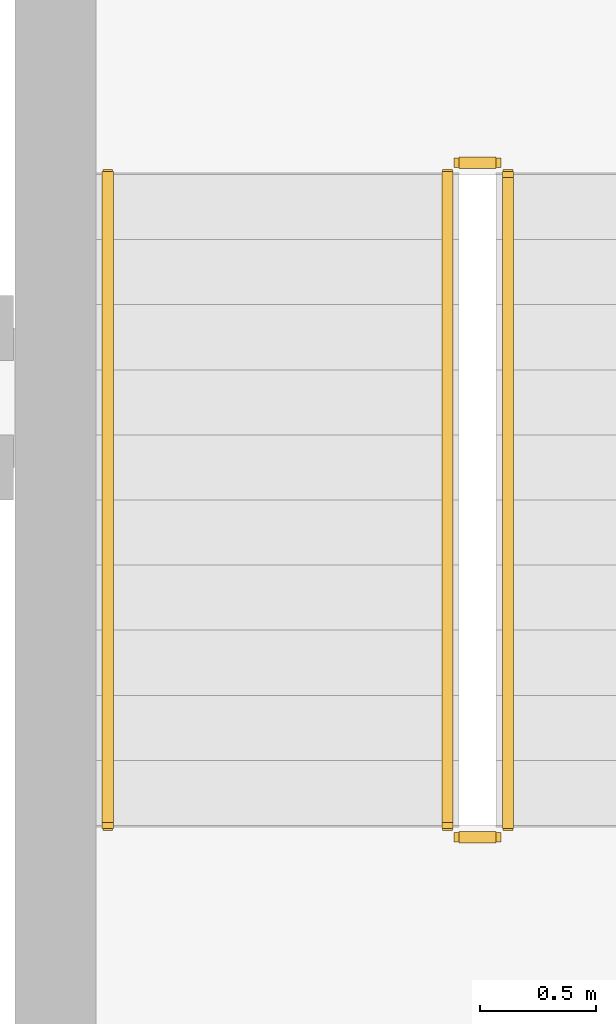
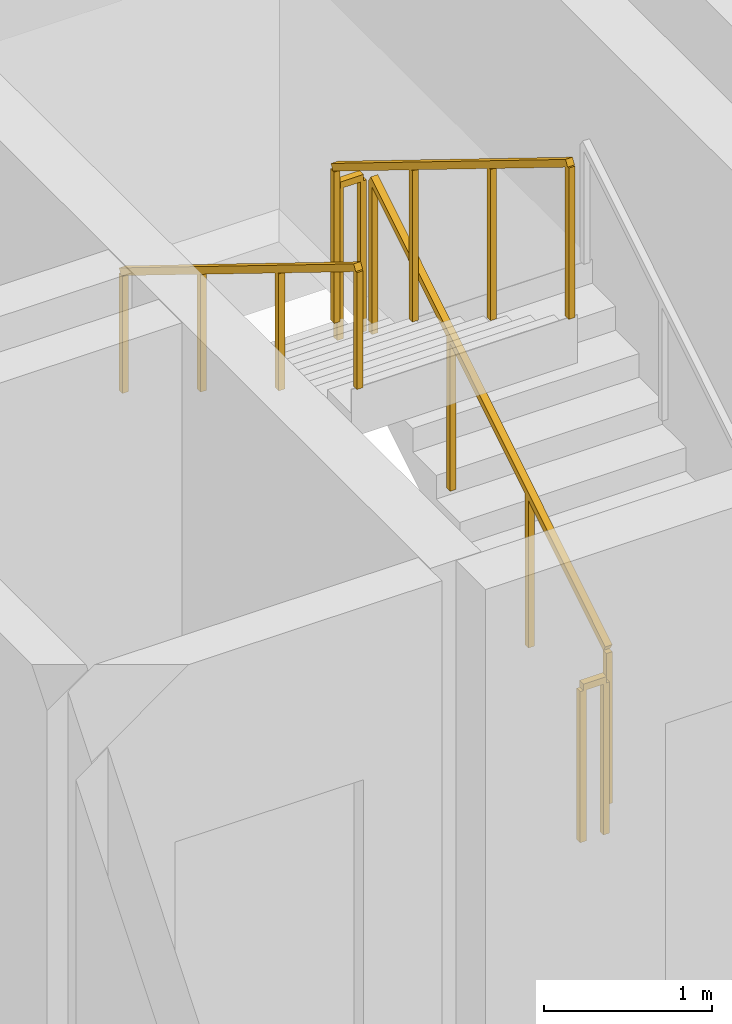
# One storey, part 13 of 14: 5 railings.
"""IFC4 building model written with IfcOpenShell, lengths in metres."""

from ifc_helpers import new_model, si_unit, direction, frame, origin, origin_2d, place, context, subcontext, project, spatial, rectangle, extrude, material, type_object, element, save


model = new_model("IFC4")

# Units and contexts
model_context = context("Model", 3, precision=1e-05, world=origin(), true_north=direction((0.0, 1.0)))
body_context = subcontext(model_context, "Body", "Model", "MODEL_VIEW")
ifc_project = project(units=[si_unit("LENGTHUNIT", "METRE"), si_unit("AREAUNIT", "SQUARE_METRE"), si_unit("VOLUMEUNIT", "CUBIC_METRE"), si_unit("PLANEANGLEUNIT", "RADIAN"), si_unit("MASSUNIT", "GRAM", prefix="KILO")], contexts=[model_context])

# Site, building, storey
site_placement = place(None, origin())
site = spatial("IfcSite", under=ifc_project, at=site_placement, CompositionType="ELEMENT")
building_placement = place(site_placement, origin())
building = spatial("IfcBuilding", under=site, at=building_placement, Name="Kaelvorn Grand Hotel", CompositionType="ELEMENT")
storey_placement = place(building_placement, frame((0.0, 0.0, 201.550048828125)))
storey = spatial("IfcBuildingStorey", under=building, at=storey_placement, Name="L49", CompositionType="ELEMENT", Elevation=201.550048828125)

# Railings
ifc_material = material(Name="Stainless Steel", Category="steel")
railing_type_1 = type_object("IfcRailingType", Name="RL-HANDRAIL-900", PredefinedType="HANDRAIL", material=ifc_material)
railing_1_placement = place(storey_placement, frame((63.3701171875, 44.56005859375, 2.07275390625)))
element("IfcRailing", 1, at=railing_1_placement, inside=storey, type_object=railing_type_1, Name="L49 ST3 stair handrail 2", PredefinedType="HANDRAIL", context=body_context, shape_type="SweptSolid", body=[
    extrude(rectangle(XDim=0.048095703125, YDim=0.048095703125, at=origin_2d()), frame((0.0, 0.0, 0.8759765625), z_axis=(0.0, -0.851089632645, 0.525020415988), x_axis=(1.0, 0.0, 0.0)), (0.0, 0.0, 1.0), 3.2900390625),
    extrude(rectangle(XDim=0.0419921875, YDim=0.0419921875, at=origin_2d()), origin(), (0.0, 0.0, 1.0), 0.851806640625),
    extrude(rectangle(XDim=0.0419921875, YDim=0.0419921875, at=origin_2d()), frame((0.0, -0.933349609375, 0.57568359375)), (0.0, 0.0, 1.0), 0.851806640625),
    extrude(rectangle(XDim=0.0419921875, YDim=0.0419921875, at=origin_2d()), frame((0.0, -1.86669921875, 1.151611328125)), (0.0, 0.0, 1.0), 0.851806640625),
    extrude(rectangle(XDim=0.0419921875, YDim=0.0419921875, at=origin_2d()), frame((0.0, -2.800048828125, 1.727294921875)), (0.0, 0.0, 1.0), 0.851806640625),
])
railing_type_2 = type_object("IfcRailingType", Name="RL-STAIR-GUARD-1150", PredefinedType="BALUSTRADE", material=ifc_material)
railing_2_placement = place(storey_placement, frame((65.090087890625, 41.760009765625, 0.172607421875)))
element("IfcRailing", 2, at=railing_2_placement, inside=storey, type_object=railing_type_2, Name="L49 ST3 stair guard 1", PredefinedType="BALUSTRADE", context=body_context, shape_type="SweptSolid", body=[
    extrude(rectangle(XDim=0.048095703125, YDim=0.048095703125, at=origin_2d()), frame((0.0, 0.0, 1.1259765625), z_axis=(0.0, 0.851089632645, 0.525020415988), x_axis=(-1.0, 0.0, 0.0)), (0.0, 0.0, 1.0), 3.2900390625),
    extrude(rectangle(XDim=0.0419921875, YDim=0.0419921875, at=origin_2d()), origin(), (0.0, 0.0, 1.0), 1.101806640625),
    extrude(rectangle(XDim=0.0419921875, YDim=0.0419921875, at=origin_2d()), frame((0.0, 0.933349609375, 0.57568359375)), (0.0, 0.0, 1.0), 1.101806640625),
    extrude(rectangle(XDim=0.0419921875, YDim=0.0419921875, at=origin_2d()), frame((0.0, 1.86669921875, 1.151611328125)), (0.0, 0.0, 1.0), 1.101806640625),
    extrude(rectangle(XDim=0.0419921875, YDim=0.0419921875, at=origin_2d()), frame((0.0, 2.800048828125, 1.727294921875)), (0.0, 0.0, 1.0), 1.101806640625),
])
railing_3_placement = place(storey_placement, frame((65.0400390625, 44.610107421875, 1.89990234375)))
element("IfcRailing", 3, at=railing_3_placement, inside=storey, type_object=railing_type_2, Name="L49 ST3 stair guard 2", PredefinedType="BALUSTRADE", context=body_context, shape_type="SweptSolid", body=[
    extrude(rectangle(XDim=0.048095703125, YDim=0.048095703125, at=origin_2d()), frame((0.0, 0.0, 1.1259765625), z_axis=(-1.0, 0.0, 0.0), x_axis=(0.0, -1.0, 0.0)), (0.0, 0.0, 1.0), 0.16015625),
    extrude(rectangle(XDim=0.0419921875, YDim=0.0419921875, at=origin_2d()), origin(), (0.0, 0.0, 1.0), 1.101806640625),
    extrude(rectangle(XDim=0.0419921875, YDim=0.0419921875, at=origin_2d()), frame((-0.16015625, 0.0, 0.0)), (0.0, 0.0, 1.0), 1.101806640625),
])
railing_4_placement = place(storey_placement, frame((64.830078125, 44.56005859375, 2.07275390625)))
element("IfcRailing", 4, at=railing_4_placement, inside=storey, type_object=railing_type_2, Name="L49 ST3 stair guard 3", PredefinedType="BALUSTRADE", context=body_context, shape_type="SweptSolid", body=[
    extrude(rectangle(XDim=0.048095703125, YDim=0.048095703125, at=origin_2d()), frame((0.0, 0.0, 1.1259765625), z_axis=(0.0, -0.851089632645, 0.525020415988), x_axis=(1.0, 0.0, 0.0)), (0.0, 0.0, 1.0), 3.2900390625),
    extrude(rectangle(XDim=0.0419921875, YDim=0.0419921875, at=origin_2d()), origin(), (0.0, 0.0, 1.0), 1.101806640625),
    extrude(rectangle(XDim=0.0419921875, YDim=0.0419921875, at=origin_2d()), frame((0.0, -0.933349609375, 0.57568359375)), (0.0, 0.0, 1.0), 1.101806640625),
    extrude(rectangle(XDim=0.0419921875, YDim=0.0419921875, at=origin_2d()), frame((0.0, -1.86669921875, 1.151611328125)), (0.0, 0.0, 1.0), 1.101806640625),
    extrude(rectangle(XDim=0.0419921875, YDim=0.0419921875, at=origin_2d()), frame((0.0, -2.800048828125, 1.727294921875)), (0.0, 0.0, 1.0), 1.101806640625),
])
railing_5_placement = place(storey_placement, frame((65.0400390625, 41.7099609375, 0.0)))
element("IfcRailing", 5, at=railing_5_placement, inside=storey, type_object=railing_type_2, Name="L49 ST3 stair guard 4", PredefinedType="BALUSTRADE", context=body_context, shape_type="SweptSolid", body=[
    extrude(rectangle(XDim=0.048095703125, YDim=0.048095703125, at=origin_2d()), frame((0.0, 0.0, 1.1259765625), z_axis=(-1.0, 0.0, 0.0), x_axis=(0.0, -1.0, 0.0)), (0.0, 0.0, 1.0), 0.16015625),
    extrude(rectangle(XDim=0.0419921875, YDim=0.0419921875, at=origin_2d()), origin(), (0.0, 0.0, 1.0), 1.101806640625),
    extrude(rectangle(XDim=0.0419921875, YDim=0.0419921875, at=origin_2d()), frame((-0.16015625, 0.0, 0.0)), (0.0, 0.0, 1.0), 1.101806640625),
])

save(model, "model.ifc")
